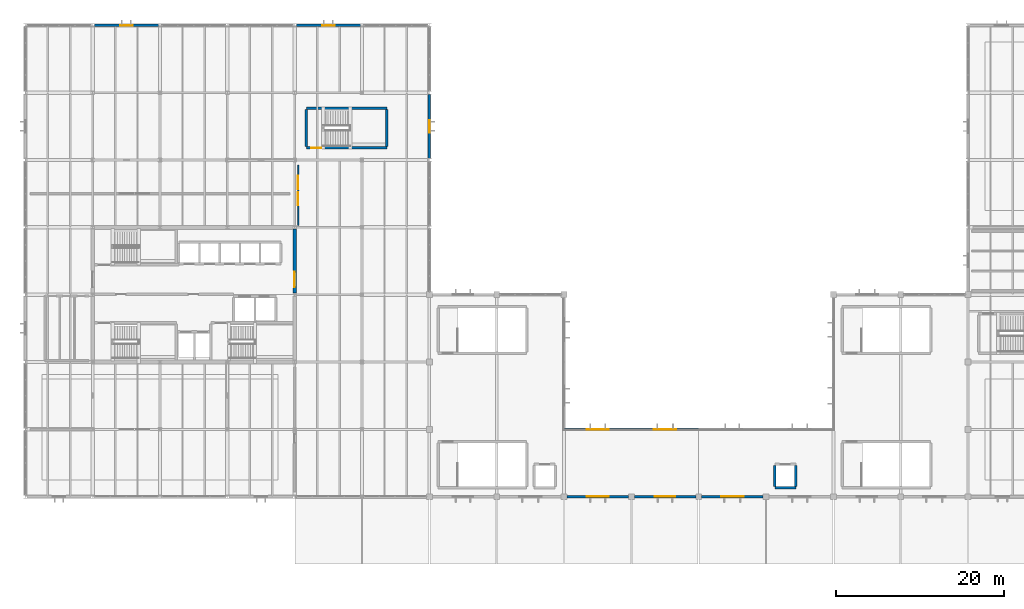
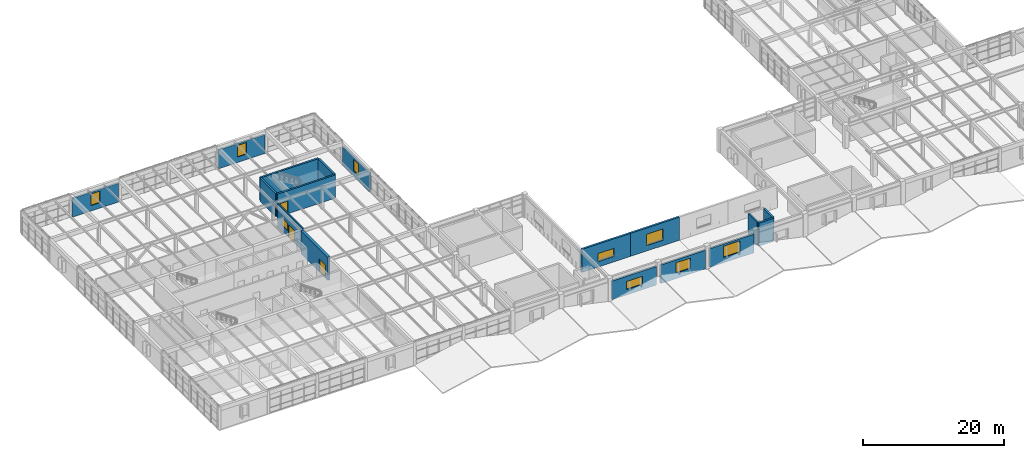
# One storey, part 39 of 48: 17 walls, 9 windows, 3 doors, 12 openings.
"""IFC4 building model written with IfcOpenShell, lengths in metres."""

from ifc_helpers import new_model, si_unit, direction, frame, frame_2d, origin, place, context, subcontext, project, spatial, rectangle, extrude, material, layer, layer_set, type_object, element, fill, save


model = new_model("IFC4")

# Units and contexts
model_context = context("Model", 3, precision=1e-05, world=origin(), true_north=direction((0.0, 1.0)))
body_context = subcontext(model_context, "Body", "Model", "MODEL_VIEW")
ifc_project = project(units=[si_unit("LENGTHUNIT", "METRE"), si_unit("AREAUNIT", "SQUARE_METRE"), si_unit("VOLUMEUNIT", "CUBIC_METRE"), si_unit("PLANEANGLEUNIT", "RADIAN"), si_unit("MASSUNIT", "GRAM", prefix="KILO")], contexts=[model_context])

# Site, building, storey
site_placement = place(None, origin())
site = spatial("IfcSite", under=ifc_project, at=site_placement, CompositionType="ELEMENT")
building_placement = place(site_placement, origin())
building = spatial("IfcBuilding", under=site, at=building_placement, Name="Varnela Railside Interchange", CompositionType="ELEMENT")
storey_placement = place(building_placement, frame((0.0, 0.0, 11.199951171875)))
storey = spatial("IfcBuildingStorey", under=building, at=storey_placement, Name="L02", CompositionType="ELEMENT", Elevation=11.199951171875)

# Wall, opening, window
ifc_material_1 = material(Name="Concrete C40 precast", Category="concrete")
ifc_layer_1 = layer(ifc_material_1, 0.320068359375)
ifc_layer_set_1 = layer_set([ifc_layer_1], Name="Concrete C40 precast")
wall_type_1 = type_object("IfcWallType", Name="Board-Formed Concrete Facade Wall EW-01", PredefinedType="STANDARD", material=ifc_layer_set_1)
wall_1_placement = place(storey_placement, frame((68.0, 46.0, 0.0), z_axis=(0.0, 0.0, 1.0), x_axis=(1.0, 0.0, 0.0)))
wall_1 = element("IfcWall", 1, at=wall_1_placement, inside=storey, type_object=wall_type_1, Name="Board-Formed Concrete Facade Wall EW-01 (L02) (WL-0660)", PredefinedType="STANDARD", context=body_context, shape_type="SweptSolid", body=[
    extrude(rectangle(XDim=8.0, YDim=0.320068359375, at=frame_2d((4.0, 0.0))), origin(), (0.0, 0.0, 1.0), 4.0),
])
opening_1_placement = place(wall_1_placement, frame((2.699951171875, 0.0, 0.949951171875)))
opening_1 = element("IfcOpeningElement", 2, at=opening_1_placement, cuts=wall_1, Name="Opening W-068", PredefinedType="OPENING", context=body_context, shape_type="SweptSolid", body=[
    extrude(rectangle(XDim=2.60009765625, YDim=1.39990234375, at=frame_2d((1.300048828125, 0.699951171875))), frame((0.0, 0.169921875, 0.0), z_axis=(0.0, -1.0, 0.0), x_axis=(1.0, 0.0, 0.0)), (0.0, 0.0, 1.0), 0.340087890625),
])
ifc_material_2 = material(Name="Glass laminated double", Category="glass")
window_type_1 = type_object("IfcWindowType", Name="Gallery Clerestory Strip WN-10", PartitioningType="SINGLE_PANEL", PredefinedType="WINDOW", material=ifc_material_2)
window_1_placement = place(opening_1_placement, origin())
window_1 = element("IfcWindow", 3, at=window_1_placement, inside=storey, type_object=window_type_1, Name="Window W-068", OverallHeight=1.39990234375, OverallWidth=2.60009765625, PartitioningType="SINGLE_PANEL", PredefinedType="WINDOW", context=body_context, shape_type="SweptSolid", body=[
    extrude(rectangle(XDim=2.60009765625, YDim=1.39990234375, at=frame_2d((1.300048828125, 0.699951171875))), frame((0.0, 0.030029296875, 0.0), z_axis=(0.0, -1.0, 0.0), x_axis=(1.0, 0.0, 0.0)), (0.0, 0.0, 1.0), 0.06005859375),
])
fill(opening_1, window_1)

wall_2_placement = place(storey_placement, frame((76.0, 46.0, 0.0), z_axis=(0.0, 0.0, 1.0), x_axis=(1.0, 0.0, 0.0)))
wall_2 = element("IfcWall", 4, at=wall_2_placement, inside=storey, type_object=wall_type_1, Name="Board-Formed Concrete Facade Wall EW-01 (L02) (WL-0661)", PredefinedType="STANDARD", context=body_context, shape_type="SweptSolid", body=[
    extrude(rectangle(XDim=8.0, YDim=0.320068359375, at=frame_2d((4.0, 0.0))), origin(), (0.0, 0.0, 1.0), 4.0),
])
opening_2_placement = place(wall_2_placement, frame((2.64990234375, 0.0, 0.949951171875)))
opening_2 = element("IfcOpeningElement", 5, at=opening_2_placement, cuts=wall_2, Name="Opening W-069", PredefinedType="OPENING", context=body_context, shape_type="SweptSolid", body=[
    extrude(rectangle(XDim=2.699951171875, YDim=1.949951171875, at=frame_2d((1.35009765625, 0.97509765625))), frame((0.0, 0.169921875, 0.0), z_axis=(0.0, -1.0, 0.0), x_axis=(1.0, 0.0, 0.0)), (0.0, 0.0, 1.0), 0.340087890625),
])
window_type_2 = type_object("IfcWindowType", Name="Sign-On Hall Wide Window WN-19", PartitioningType="SINGLE_PANEL", PredefinedType="WINDOW", material=ifc_material_2)
window_2_placement = place(opening_2_placement, origin())
window_2 = element("IfcWindow", 6, at=window_2_placement, inside=storey, type_object=window_type_2, Name="Window W-069", OverallHeight=1.949951171875, OverallWidth=2.699951171875, PartitioningType="SINGLE_PANEL", PredefinedType="WINDOW", context=body_context, shape_type="SweptSolid", body=[
    extrude(rectangle(XDim=2.699951171875, YDim=1.949951171875, at=frame_2d((1.35009765625, 0.97509765625))), frame((0.0, 0.030029296875, 0.0), z_axis=(0.0, -1.0, 0.0), x_axis=(1.0, 0.0, 0.0)), (0.0, 0.0, 1.0), 0.06005859375),
])
fill(opening_2, window_2)

wall_3_placement = place(storey_placement, frame((91.64990234375, 38.0, 0.0), z_axis=(0.0, 0.0, 1.0), x_axis=(-1.0, 0.0, 0.0)))
wall_3 = element("IfcWall", 7, at=wall_3_placement, inside=storey, type_object=wall_type_1, Name="Board-Formed Concrete Facade Wall EW-01 (L02) (WL-0683)", PredefinedType="STANDARD", context=body_context, shape_type="SweptSolid", body=[
    extrude(rectangle(XDim=7.2998046875, YDim=0.320068359375, at=frame_2d((3.64990234375, 0.0))), origin(), (0.0, 0.0, 1.0), 3.22998046875),
])
opening_3_placement = place(wall_3_placement, frame((2.300048828125, 0.0, 0.949951171875)))
opening_3 = element("IfcOpeningElement", 8, at=opening_3_placement, cuts=wall_3, Name="Opening W-090", PredefinedType="OPENING", context=body_context, shape_type="SweptSolid", body=[
    extrude(rectangle(XDim=2.699951171875, YDim=1.949951171875, at=frame_2d((1.35009765625, 0.97509765625))), frame((0.0, 0.169921875, 0.0), z_axis=(0.0, -1.0, 0.0), x_axis=(1.0, 0.0, 0.0)), (0.0, 0.0, 1.0), 0.340087890625),
])
window_3_placement = place(opening_3_placement, origin())
window_3 = element("IfcWindow", 9, at=window_3_placement, inside=storey, type_object=window_type_2, Name="Window W-090", OverallHeight=1.949951171875, OverallWidth=2.699951171875, PartitioningType="SINGLE_PANEL", PredefinedType="WINDOW", context=body_context, shape_type="SweptSolid", body=[
    extrude(rectangle(XDim=2.699951171875, YDim=1.949951171875, at=frame_2d((1.35009765625, 0.97509765625))), frame((0.0, 0.030029296875, 0.0), z_axis=(0.0, -1.0, 0.0), x_axis=(1.0, 0.0, 0.0)), (0.0, 0.0, 1.0), 0.06005859375),
])
fill(opening_3, window_3)

wall_4_placement = place(storey_placement, frame((83.64990234375, 38.0, 0.0), z_axis=(0.0, 0.0, 1.0), x_axis=(-1.0, 0.0, 0.0)))
wall_4 = element("IfcWall", 10, at=wall_4_placement, inside=storey, type_object=wall_type_1, Name="Board-Formed Concrete Facade Wall EW-01 (L02) (WL-0684)", PredefinedType="STANDARD", context=body_context, shape_type="SweptSolid", body=[
    extrude(rectangle(XDim=7.2998046875, YDim=0.320068359375, at=frame_2d((3.64990234375, 0.0))), origin(), (0.0, 0.0, 1.0), 3.22998046875),
])
opening_4_placement = place(wall_4_placement, frame((2.449951171875, 0.0, 0.949951171875)))
opening_4 = element("IfcOpeningElement", 11, at=opening_4_placement, cuts=wall_4, Name="Opening W-091", PredefinedType="OPENING", context=body_context, shape_type="SweptSolid", body=[
    extrude(rectangle(XDim=2.39990234375, YDim=1.800048828125, at=frame_2d((1.199951171875, 0.89990234375))), frame((0.0, 0.169921875, 0.0), z_axis=(0.0, -1.0, 0.0), x_axis=(1.0, 0.0, 0.0)), (0.0, 0.0, 1.0), 0.340087890625),
])
window_type_3 = type_object("IfcWindowType", Name="Concourse Clerestory Window WN-01", PartitioningType="SINGLE_PANEL", PredefinedType="WINDOW", material=ifc_material_2)
window_4_placement = place(opening_4_placement, origin())
window_4 = element("IfcWindow", 12, at=window_4_placement, inside=storey, type_object=window_type_3, Name="Window W-091", OverallHeight=1.800048828125, OverallWidth=2.39990234375, PartitioningType="SINGLE_PANEL", PredefinedType="WINDOW", context=body_context, shape_type="SweptSolid", body=[
    extrude(rectangle(XDim=2.39990234375, YDim=1.800048828125, at=frame_2d((1.199951171875, 0.89990234375))), frame((0.0, 0.030029296875, 0.0), z_axis=(0.0, -1.0, 0.0), x_axis=(1.0, 0.0, 0.0)), (0.0, 0.0, 1.0), 0.06005859375),
])
fill(opening_4, window_4)

wall_5_placement = place(storey_placement, frame((75.64990234375, 38.0, 0.0), z_axis=(0.0, 0.0, 1.0), x_axis=(-1.0, 0.0, 0.0)))
wall_5 = element("IfcWall", 13, at=wall_5_placement, inside=storey, type_object=wall_type_1, Name="Board-Formed Concrete Facade Wall EW-01 (L02) (WL-0685)", PredefinedType="STANDARD", context=body_context, shape_type="SweptSolid", body=[
    extrude(rectangle(XDim=7.2998046875, YDim=0.320068359375, at=frame_2d((3.64990234375, 0.0))), origin(), (0.0, 0.0, 1.0), 3.22998046875),
])
opening_5_placement = place(wall_5_placement, frame((2.35009765625, 0.0, 0.949951171875)))
opening_5 = element("IfcOpeningElement", 14, at=opening_5_placement, cuts=wall_5, Name="Opening W-092", PredefinedType="OPENING", context=body_context, shape_type="SweptSolid", body=[
    extrude(rectangle(XDim=2.60009765625, YDim=1.39990234375, at=frame_2d((1.300048828125, 0.699951171875))), frame((0.0, 0.169921875, 0.0), z_axis=(0.0, -1.0, 0.0), x_axis=(1.0, 0.0, 0.0)), (0.0, 0.0, 1.0), 0.340087890625),
])
window_5_placement = place(opening_5_placement, origin())
window_5 = element("IfcWindow", 15, at=window_5_placement, inside=storey, type_object=window_type_1, Name="Window W-092", OverallHeight=1.39990234375, OverallWidth=2.60009765625, PartitioningType="SINGLE_PANEL", PredefinedType="WINDOW", context=body_context, shape_type="SweptSolid", body=[
    extrude(rectangle(XDim=2.60009765625, YDim=1.39990234375, at=frame_2d((1.300048828125, 0.699951171875))), frame((0.0, 0.030029296875, 0.0), z_axis=(0.0, -1.0, 0.0), x_axis=(1.0, 0.0, 0.0)), (0.0, 0.0, 1.0), 0.06005859375),
])
fill(opening_5, window_5)

# Wall, opening, door
ifc_material_3 = material(Name="Concrete C50", Category="concrete")
ifc_layer_2 = layer(ifc_material_3, 0.39990234375)
ifc_layer_set_2 = layer_set([ifc_layer_2], Name="Concrete C50")
wall_type_2 = type_object("IfcWallType", Name="Core Coupling Shear Wall SW-02", PredefinedType="SHEAR", material=ifc_layer_set_2)
wall_6_placement = place(storey_placement, frame((36.0, 62.193603515625, 0.0), z_axis=(0.0, 0.0, 1.0), x_axis=(0.0, 1.0, 0.0)))
wall_6 = element("IfcWall", 16, at=wall_6_placement, inside=storey, type_object=wall_type_2, Name="Core Coupling Shear Wall SW-02 (L02) (WL-0626)", PredefinedType="SHEAR", context=body_context, shape_type="SweptSolid", body=[
    extrude(rectangle(XDim=7.61279296875, YDim=0.39990234375, at=frame_2d((3.806396484375, 0.0))), origin(), (0.0, 0.0, 1.0), 4.0),
])
opening_6_placement = place(wall_6_placement, frame((0.7060546875, 0.0, 0.0)))
opening_6 = element("IfcOpeningElement", 17, at=opening_6_placement, cuts=wall_6, Name="Opening D-215", PredefinedType="OPENING", context=body_context, shape_type="SweptSolid", body=[
    extrude(rectangle(XDim=1.800048828125, YDim=2.199951171875, at=frame_2d((0.89990234375, 1.10009765625))), frame((0.0, 0.2099609375, 0.0), z_axis=(0.0, -1.0, 0.0), x_axis=(1.0, 0.0, 0.0)), (0.0, 0.0, 1.0), 0.419921875),
])
ifc_material_4 = material(Name="Steel AR 350 (350 MPa)", Category="steel")
door_type_1 = type_object("IfcDoorType", Name="DR-DBL-1800-FD60", OperationType="DOUBLE_DOOR_SINGLE_SWING", PredefinedType="DOOR", material=ifc_material_4)
door_1_placement = place(opening_6_placement, origin())
door_1 = element("IfcDoor", 18, at=door_1_placement, inside=storey, type_object=door_type_1, Name="Door D-215", OperationType="DOUBLE_DOOR_SINGLE_SWING", OverallHeight=2.199951171875, OverallWidth=1.800048828125, PredefinedType="DOOR", context=body_context, shape_type="SweptSolid", body=[
    extrude(rectangle(XDim=1.800048828125, YDim=2.199951171875, at=frame_2d((0.89990234375, 1.10009765625))), frame((0.0, 0.02490234375, 0.0), z_axis=(0.0, -1.0, 0.0), x_axis=(1.0, 0.0, 0.0)), (0.0, 0.0, 1.0), 0.050048828125),
])
fill(opening_6, door_1)

# Wall, openings, door, window
ifc_material_5 = material(Name="Gypsum acoustic board")
ifc_layer_3 = layer(ifc_material_5, 0.179931640625)
ifc_layer_set_3 = layer_set([ifc_layer_3], Name="Gypsum acoustic board")
wall_type_3 = type_object("IfcWallType", Name="Double-Stud Corridor Wall IW-02", PredefinedType="PARTITIONING", material=ifc_layer_set_3)
wall_7_placement = place(storey_placement, frame((36.39990234375, 70.199951171875, 0.0), z_axis=(0.0, 0.0, 1.0), x_axis=(0.0, 1.0, 0.0)))
wall_7 = element("IfcWall", 19, at=wall_7_placement, inside=storey, type_object=wall_type_3, Name="Double-Stud Corridor Wall IW-02 (L02) (WL-0699)", PredefinedType="PARTITIONING", context=body_context, shape_type="SweptSolid", body=[
    extrude(rectangle(XDim=7.199951171875, YDim=0.179931640625, at=frame_2d((3.60009765625, 0.0))), origin(), (0.0, 0.0, 1.0), 4.0),
])
opening_7_placement = place(wall_7_placement, frame((2.39990234375, 0.0, 0.0)))
opening_7 = element("IfcOpeningElement", 20, at=opening_7_placement, cuts=wall_7, Name="Opening D-235", PredefinedType="OPENING", context=body_context, shape_type="SweptSolid", body=[
    extrude(rectangle(XDim=1.60009765625, YDim=2.199951171875, at=frame_2d((0.800048828125, 1.10009765625))), frame((0.0, 0.099853515625, 0.0), z_axis=(0.0, -1.0, 0.0), x_axis=(1.0, 0.0, 0.0)), (0.0, 0.0, 1.0), 0.199951171875),
])
opening_8_placement = place(wall_7_placement, frame((4.35009765625, 0.0, 0.949951171875)))
opening_8 = element("IfcOpeningElement", 21, at=opening_8_placement, cuts=wall_7, Name="Opening IW-014", PredefinedType="OPENING", context=body_context, shape_type="SweptSolid", body=[
    extrude(rectangle(XDim=1.60009765625, YDim=1.300048828125, at=frame_2d((0.800048828125, 0.64990234375))), frame((0.0, 0.099853515625, 0.0), z_axis=(0.0, -1.0, 0.0), x_axis=(1.0, 0.0, 0.0)), (0.0, 0.0, 1.0), 0.199951171875),
])
door_type_2 = type_object("IfcDoorType", Name="DR-DBL-1600", OperationType="DOUBLE_DOOR_SINGLE_SWING", PredefinedType="DOOR", material=ifc_material_2)
door_2_placement = place(opening_7_placement, origin())
door_2 = element("IfcDoor", 22, at=door_2_placement, inside=storey, type_object=door_type_2, Name="Door D-235", OperationType="DOUBLE_DOOR_SINGLE_SWING", OverallHeight=2.199951171875, OverallWidth=1.60009765625, PredefinedType="DOOR", context=body_context, shape_type="SweptSolid", body=[
    extrude(rectangle(XDim=1.60009765625, YDim=2.199951171875, at=frame_2d((0.800048828125, 1.10009765625))), frame((0.0, 0.02490234375, 0.0), z_axis=(0.0, -1.0, 0.0), x_axis=(1.0, 0.0, 0.0)), (0.0, 0.0, 1.0), 0.050048828125),
])
fill(opening_7, door_2)
window_type_4 = type_object("IfcWindowType", Name="Interior Acoustic Vision Window IW-WN1", PartitioningType="SINGLE_PANEL", PredefinedType="WINDOW", material=ifc_material_2)
window_6_placement = place(opening_8_placement, origin())
window_6 = element("IfcWindow", 23, at=window_6_placement, inside=storey, type_object=window_type_4, Name="Window IW-014", OverallHeight=1.300048828125, OverallWidth=1.60009765625, PartitioningType="SINGLE_PANEL", PredefinedType="WINDOW", context=body_context, shape_type="SweptSolid", body=[
    extrude(rectangle(XDim=1.60009765625, YDim=1.300048828125, at=frame_2d((0.800048828125, 0.64990234375))), frame((0.0, 0.030029296875, 0.0), z_axis=(0.0, -1.0, 0.0), x_axis=(1.0, 0.0, 0.0)), (0.0, 0.0, 1.0), 0.06005859375),
])
fill(opening_8, window_6)

# Wall, opening, window
ifc_layer_4 = layer(ifc_material_1, 0.280029296875)
ifc_layer_set_4 = layer_set([ifc_layer_4], Name="Concrete C40 precast")
wall_type_4 = type_object("IfcWallType", Name="Ribbed Precast Concrete Facade Wall EW-02", PredefinedType="STANDARD", material=ifc_layer_set_4)
wall_8_placement = place(storey_placement, frame((12.197021484375, 94.0, 0.0), z_axis=(0.0, 0.0, 1.0), x_axis=(1.0, 0.0, 0.0)))
wall_8 = element("IfcWall", 24, at=wall_8_placement, inside=storey, type_object=wall_type_4, Name="Ribbed Precast Concrete Facade Wall EW-02 (L02) (WL-0688)", PredefinedType="STANDARD", context=body_context, shape_type="SweptSolid", body=[
    extrude(rectangle(XDim=7.60595703125, YDim=0.280029296875, at=frame_2d((3.802978515625, 0.0))), origin(), (0.0, 0.0, 1.0), 3.25),
])
opening_9_placement = place(wall_8_placement, frame((3.052978515625, 0.0, 0.949951171875)))
opening_9 = element("IfcOpeningElement", 25, at=opening_9_placement, cuts=wall_8, Name="Opening W-062", PredefinedType="OPENING", context=body_context, shape_type="SweptSolid", body=[
    extrude(rectangle(XDim=1.5, YDim=2.0, at=frame_2d((0.75, 1.0))), frame((0.0, 0.14990234375, 0.0), z_axis=(0.0, -1.0, 0.0), x_axis=(1.0, 0.0, 0.0)), (0.0, 0.0, 1.0), 0.300048828125),
])
window_type_5 = type_object("IfcWindowType", Name="Operations Modular Window WN-04", PartitioningType="SINGLE_PANEL", PredefinedType="WINDOW", material=ifc_material_2)
window_7_placement = place(opening_9_placement, origin())
window_7 = element("IfcWindow", 26, at=window_7_placement, inside=storey, type_object=window_type_5, Name="Window W-062", OverallHeight=2.0, OverallWidth=1.5, PartitioningType="SINGLE_PANEL", PredefinedType="WINDOW", context=body_context, shape_type="SweptSolid", body=[
    extrude(rectangle(XDim=1.5, YDim=2.0, at=frame_2d((0.75, 1.0))), frame((0.0, 0.030029296875, 0.0), z_axis=(0.0, -1.0, 0.0), x_axis=(1.0, 0.0, 0.0)), (0.0, 0.0, 1.0), 0.06005859375),
])
fill(opening_9, window_7)

wall_9_placement = place(storey_placement, frame((36.197021484375, 94.0, 0.0), z_axis=(0.0, 0.0, 1.0), x_axis=(1.0, 0.0, 0.0)))
wall_9 = element("IfcWall", 27, at=wall_9_placement, inside=storey, type_object=wall_type_4, Name="Ribbed Precast Concrete Facade Wall EW-02 (L02) (WL-0692)", PredefinedType="STANDARD", context=body_context, shape_type="SweptSolid", body=[
    extrude(rectangle(XDim=7.60595703125, YDim=0.280029296875, at=frame_2d((3.802978515625, 0.0))), origin(), (0.0, 0.0, 1.0), 3.25),
])
opening_10_placement = place(wall_9_placement, frame((3.052978515625, 0.0, 0.949951171875)))
opening_10 = element("IfcOpeningElement", 28, at=opening_10_placement, cuts=wall_9, Name="Opening W-063", PredefinedType="OPENING", context=body_context, shape_type="SweptSolid", body=[
    extrude(rectangle(XDim=1.5, YDim=2.0, at=frame_2d((0.75, 1.0))), frame((0.0, 0.14990234375, 0.0), z_axis=(0.0, -1.0, 0.0), x_axis=(1.0, 0.0, 0.0)), (0.0, 0.0, 1.0), 0.300048828125),
])
window_8_placement = place(opening_10_placement, origin())
window_8 = element("IfcWindow", 29, at=window_8_placement, inside=storey, type_object=window_type_5, Name="Window W-063", OverallHeight=2.0, OverallWidth=1.5, PartitioningType="SINGLE_PANEL", PredefinedType="WINDOW", context=body_context, shape_type="SweptSolid", body=[
    extrude(rectangle(XDim=1.5, YDim=2.0, at=frame_2d((0.75, 1.0))), frame((0.0, 0.030029296875, 0.0), z_axis=(0.0, -1.0, 0.0), x_axis=(1.0, 0.0, 0.0)), (0.0, 0.0, 1.0), 0.06005859375),
])
fill(opening_10, window_8)

wall_10_placement = place(storey_placement, frame((52.0, 85.8125, 0.0), z_axis=(0.0, 0.0, 1.0), x_axis=(0.0, -1.0, 0.0)))
wall_10 = element("IfcWall", 30, at=wall_10_placement, inside=storey, type_object=wall_type_4, Name="Ribbed Precast Concrete Facade Wall EW-02 (L02) (WL-0656)", PredefinedType="STANDARD", context=body_context, shape_type="SweptSolid", body=[
    extrude(rectangle(XDim=7.625, YDim=0.280029296875, at=frame_2d((3.8125, 0.0))), origin(), (0.0, 0.0, 1.0), 3.25),
])
opening_11_placement = place(wall_10_placement, frame((3.0625, 0.0, 0.949951171875)))
opening_11 = element("IfcOpeningElement", 31, at=opening_11_placement, cuts=wall_10, Name="Opening W-064", PredefinedType="OPENING", context=body_context, shape_type="SweptSolid", body=[
    extrude(rectangle(XDim=1.5, YDim=2.0, at=frame_2d((0.75, 1.0))), frame((0.0, 0.14990234375, 0.0), z_axis=(0.0, -1.0, 0.0), x_axis=(1.0, 0.0, 0.0)), (0.0, 0.0, 1.0), 0.300048828125),
])
window_9_placement = place(opening_11_placement, origin())
window_9 = element("IfcWindow", 32, at=window_9_placement, inside=storey, type_object=window_type_5, Name="Window W-064", OverallHeight=2.0, OverallWidth=1.5, PartitioningType="SINGLE_PANEL", PredefinedType="WINDOW", context=body_context, shape_type="SweptSolid", body=[
    extrude(rectangle(XDim=1.5, YDim=2.0, at=frame_2d((0.75, 1.0))), frame((0.0, 0.030029296875, 0.0), z_axis=(0.0, -1.0, 0.0), x_axis=(1.0, 0.0, 0.0)), (0.0, 0.0, 1.0), 0.06005859375),
])
fill(opening_11, window_9)

# Wall
ifc_layer_5 = layer(ifc_material_3, 0.300048828125)
ifc_layer_set_5 = layer_set([ifc_layer_5], Name="Concrete C50")
wall_type_5 = type_object("IfcWallType", Name="Stair & Lift Shaft Wall SW-03", PredefinedType="SHEAR", material=ifc_layer_set_5)
wall_11_placement = place(storey_placement, frame((37.39990234375, 84.14990234375, 0.0), z_axis=(0.0, 0.0, 1.0), x_axis=(1.0, 0.0, 0.0)))
element("IfcWall", 33, at=wall_11_placement, inside=storey, type_object=wall_type_5, Name="Stair & Lift Shaft Wall SW-03 (L02) (WL-0755)", PredefinedType="SHEAR", context=body_context, shape_type="SweptSolid", body=[
    extrude(rectangle(XDim=9.550048828125, YDim=0.300048828125, at=frame_2d((4.77490234375, 0.0))), origin(), (0.0, 0.0, 1.0), 4.0),
])

# Wall, opening, door
wall_12_placement = place(storey_placement, frame((37.39990234375, 79.449951171875, 0.0), z_axis=(0.0, 0.0, 1.0), x_axis=(1.0, 0.0, 0.0)))
wall_12 = element("IfcWall", 34, at=wall_12_placement, inside=storey, type_object=wall_type_5, Name="Stair & Lift Shaft Wall SW-03 (L02) (WL-0756)", PredefinedType="SHEAR", context=body_context, shape_type="SweptSolid", body=[
    extrude(rectangle(XDim=9.550048828125, YDim=0.300048828125, at=frame_2d((4.77490234375, 0.0))), origin(), (0.0, 0.0, 1.0), 4.0),
])
opening_12_placement = place(wall_12_placement, frame((0.550048828125, 0.0, 0.0)))
opening_12 = element("IfcOpeningElement", 35, at=opening_12_placement, cuts=wall_12, Name="Opening D-223", PredefinedType="OPENING", context=body_context, shape_type="SweptSolid", body=[
    extrude(rectangle(XDim=1.199951171875, YDim=2.199951171875, at=frame_2d((0.60009765625, 1.10009765625))), frame((0.0, 0.159912109375, 0.0), z_axis=(0.0, -1.0, 0.0), x_axis=(1.0, 0.0, 0.0)), (0.0, 0.0, 1.0), 0.320068359375),
])
door_type_3 = type_object("IfcDoorType", Name="DR-SGL-1200-FD90", OperationType="NOTDEFINED", PredefinedType="DOOR", material=ifc_material_4)
door_3_placement = place(opening_12_placement, origin())
door_3 = element("IfcDoor", 36, at=door_3_placement, inside=storey, type_object=door_type_3, Name="Door D-223", OperationType="SINGLE_SWING_RIGHT", OverallHeight=2.199951171875, OverallWidth=1.199951171875, PredefinedType="DOOR", context=body_context, shape_type="SweptSolid", body=[
    extrude(rectangle(XDim=1.199951171875, YDim=2.199951171875, at=frame_2d((0.60009765625, 1.10009765625))), frame((0.0, 0.02490234375, 0.0), z_axis=(0.0, -1.0, 0.0), x_axis=(1.0, 0.0, 0.0)), (0.0, 0.0, 1.0), 0.050048828125),
])
fill(opening_12, door_3)

# Walls
for number, where, z_axis, x_axis, name in (
    (37, (37.39990234375, 79.60009765625, 0.0), (0.0, 0.0, 1.0), (0.0, 1.0, 0.0), "Stair & Lift Shaft Wall SW-03 (L02) (WL-0757)"),
    (38, (46.949951171875, 79.60009765625, 0.0), (0.0, 0.0, 1.0), (0.0, 1.0, 0.0), "Stair & Lift Shaft Wall SW-03 (L02) (WL-0754)"),
):
    element("IfcWall", number, at=place(storey_placement, frame(where, z_axis=z_axis, x_axis=x_axis)), inside=storey, type_object=wall_type_5, Name=name, PredefinedType="SHEAR", context=body_context, shape_type="SweptSolid", body=[
        extrude(rectangle(XDim=4.39990234375, YDim=0.300048828125, at=frame_2d((2.199951171875, 0.0))), origin(), (0.0, 0.0, 1.0), 4.0),
    ])
for number, where, z_axis, x_axis, name in (
    (39, (93.050048828125, 39.050048828125, 0.0), (0.0, 0.0, 1.0), (1.0, 0.0, 0.0), "Stair & Lift Shaft Wall SW-03 (L02) (WL-0720)"),
    (40, (93.050048828125, 39.199951171875, 0.0), (0.0, 0.0, 1.0), (0.0, 1.0, 0.0), "Stair & Lift Shaft Wall SW-03 (L02) (WL-0721)"),
    (41, (95.550048828125, 39.199951171875, 0.0), (0.0, 0.0, 1.0), (0.0, 1.0, 0.0), "Stair & Lift Shaft Wall SW-03 (L02) (WL-0718)"),
):
    element("IfcWall", number, at=place(storey_placement, frame(where, z_axis=z_axis, x_axis=x_axis)), inside=storey, type_object=wall_type_5, Name=name, PredefinedType="SHEAR", context=body_context, shape_type="SweptSolid", body=[
        extrude(rectangle(XDim=2.5, YDim=0.300048828125, at=frame_2d((1.25, 0.0))), origin(), (0.0, 0.0, 1.0), 4.0),
    ])

save(model, "model.ifc")
